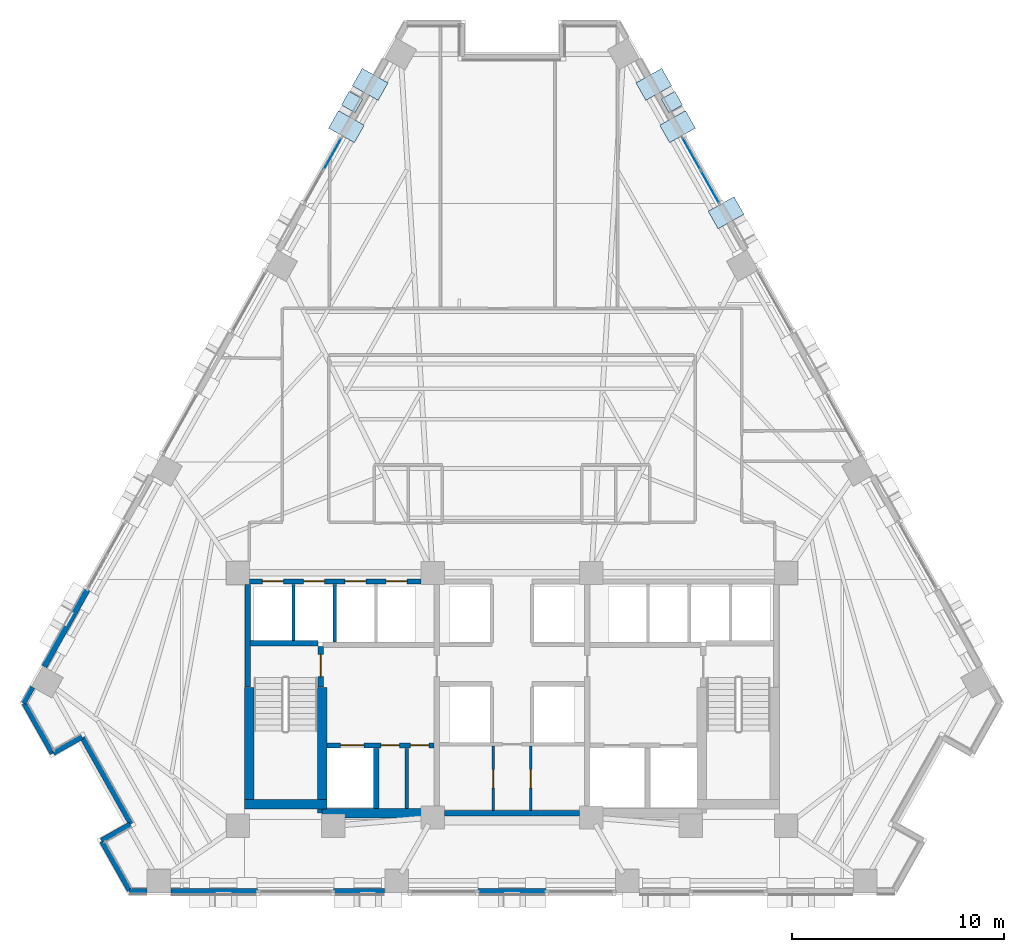
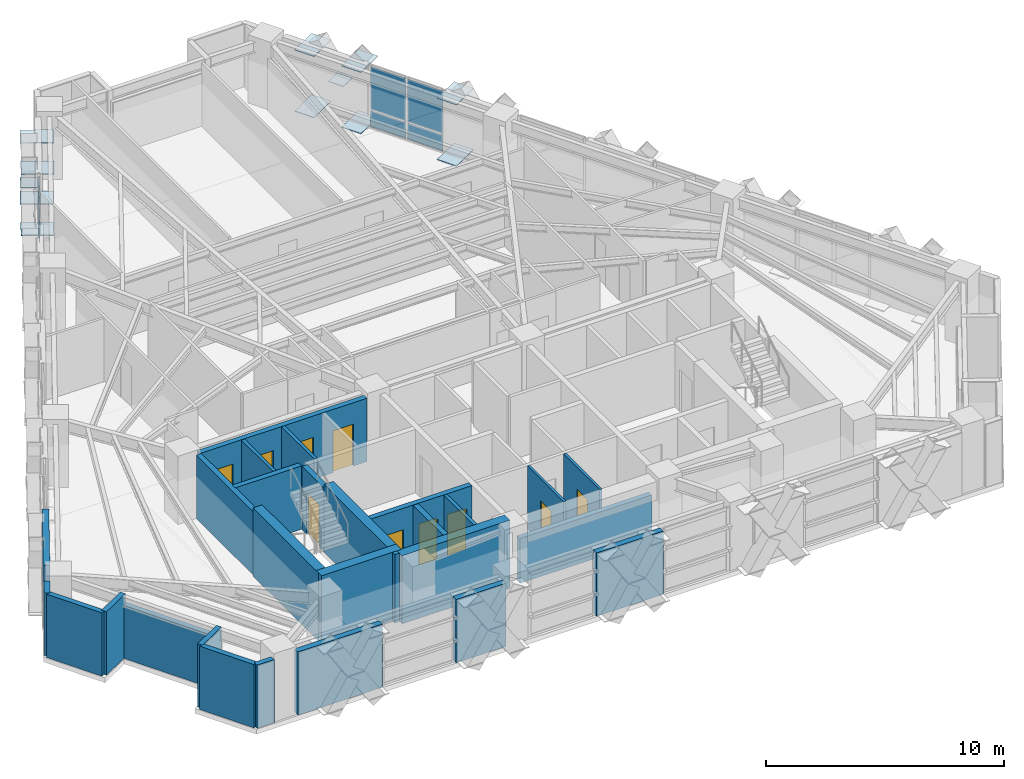
# One storey, part 7 of 14: 27 walls, 17 plates, 10 doors, 10 openings, 2 elements without a shape of their own.
"""IFC4 building model written with IfcOpenShell, lengths in metres."""

from ifc_helpers import new_model, si_unit, direction, frame, frame_2d, origin, origin_2d, place, context, subcontext, project, spatial, rectangle, extrude, material, layer, layer_set, type_object, element, fill, aggregate, save


model = new_model("IFC4")

# Units and contexts
model_context = context("Model", 3, precision=1e-05, world=origin(), true_north=direction((0.0, 1.0)))
body_context = subcontext(model_context, "Body", "Model", "MODEL_VIEW")
ifc_project = project(units=[si_unit("LENGTHUNIT", "METRE"), si_unit("AREAUNIT", "SQUARE_METRE"), si_unit("VOLUMEUNIT", "CUBIC_METRE"), si_unit("PLANEANGLEUNIT", "RADIAN"), si_unit("MASSUNIT", "GRAM", prefix="KILO")], contexts=[model_context])

# Site, building, storey
site_placement = place(None, origin())
site = spatial("IfcSite", under=ifc_project, at=site_placement, CompositionType="ELEMENT")
building_placement = place(site_placement, origin())
building = spatial("IfcBuilding", under=site, at=building_placement, Name="Quenlor Broadcast Tower", CompositionType="ELEMENT")
storey_placement = place(building_placement, frame((0.0, 0.0, 80.10009765625)))
storey = spatial("IfcBuildingStorey", under=building, at=storey_placement, Name="L21", CompositionType="ELEMENT", Elevation=80.10009765625)

# Curtain wall, plates
ifc_material_1 = material(Name="Architectural Terracotta and Low-E Glazing", Category="masonry")
curtain_wall_type = type_object("IfcCurtainWallType", Name="Unitised Terracotta Curtain Wall System Z2", PredefinedType="NOTDEFINED", material=ifc_material_1)
curtain_wall_1_placement = place(storey_placement, origin())
curtain_wall_1 = element("IfcCurtainWall", 1, at=curtain_wall_1_placement, inside=storey, type_object=curtain_wall_type, Name="L21 Curtain Wall CW2 (L21-NEA-G1)", PredefinedType="NOTDEFINED")
ifc_material_2 = material(Name="Double Glazed Low-E Solar Glass", Category="glass")
ifc_layer_1 = layer(ifc_material_2, 0.030029296875)
ifc_layer_set_1 = layer_set([ifc_layer_1], Name="CW2 Double Glazed Vision Panel 30")
plate_type_1 = type_object("IfcPlateType", Name="CW2 Double Glazed Vision Panel 30", PredefinedType="CURTAIN_PANEL", material=ifc_layer_set_1)
plate_1_placement = place(storey_placement, frame((8.473388671875, 15.009765625, 0.074951171875), z_axis=(0.0, 0.0, 1.0), x_axis=(0.490265104904, -0.871573362898, 0.0)))
plate_1 = element("IfcPlate", 2, at=plate_1_placement, type_object=plate_type_1, Name="CW2 panel 1.1", PredefinedType="CURTAIN_PANEL", context=body_context, shape_type="SweptSolid", body=[
    extrude(rectangle(XDim=1.72998046875, YDim=0.030029296875, at=origin_2d()), origin(), (0.0, 0.0, 1.0), 0.83740234375),
])
plate_2_placement = place(storey_placement, frame((8.473388671875, 15.009765625, 0.9873046875), z_axis=(0.0, 0.0, 1.0), x_axis=(0.490265104904, -0.871573362898, 0.0)))
plate_2 = element("IfcPlate", 3, at=plate_2_placement, type_object=plate_type_1, Name="CW2 panel 1.2", PredefinedType="CURTAIN_PANEL", context=body_context, shape_type="SweptSolid", body=[
    extrude(rectangle(XDim=1.72998046875, YDim=0.030029296875, at=origin_2d()), origin(), (0.0, 0.0, 1.0), 2.1875),
])
plate_3_placement = place(storey_placement, frame((9.3583984375, 13.4365234375, 0.074951171875), z_axis=(0.0, 0.0, 1.0), x_axis=(0.490265104904, -0.871573362898, 0.0)))
plate_3 = element("IfcPlate", 4, at=plate_3_placement, type_object=plate_type_1, Name="CW2 panel 2.1", PredefinedType="CURTAIN_PANEL", context=body_context, shape_type="SweptSolid", body=[
    extrude(rectangle(XDim=1.72998046875, YDim=0.030029296875, at=origin_2d()), origin(), (0.0, 0.0, 1.0), 0.83740234375),
])
plate_4_placement = place(storey_placement, frame((9.3583984375, 13.4365234375, 0.9873046875), z_axis=(0.0, 0.0, 1.0), x_axis=(0.490265104904, -0.871573362898, 0.0)))
plate_4 = element("IfcPlate", 5, at=plate_4_placement, type_object=plate_type_1, Name="CW2 panel 2.2", PredefinedType="CURTAIN_PANEL", context=body_context, shape_type="SweptSolid", body=[
    extrude(rectangle(XDim=1.72998046875, YDim=0.030029296875, at=origin_2d()), origin(), (0.0, 0.0, 1.0), 2.1875),
])
aggregate(curtain_wall_1, [plate_1, plate_2, plate_3, plate_4])

# Curtain wall, plate
curtain_wall_2_placement = place(storey_placement, origin())
curtain_wall_2 = element("IfcCurtainWall", 6, at=curtain_wall_2_placement, inside=storey, type_object=curtain_wall_type, Name="L21 Curtain Wall CW2 (L21-NWC-G1)", PredefinedType="NOTDEFINED")
plate_5_placement = place(storey_placement, frame((-8.473388671875, 15.009765625, 0.9873046875), z_axis=(0.0, 0.0, 1.0), x_axis=(0.490265104904, 0.871573362898, 0.0)))
plate_5 = element("IfcPlate", 7, at=plate_5_placement, type_object=plate_type_1, Name="CW2 panel 2.2", PredefinedType="CURTAIN_PANEL", context=body_context, shape_type="SweptSolid", body=[
    extrude(rectangle(XDim=1.72998046875, YDim=0.030029296875, at=origin_2d()), origin(), (0.0, 0.0, 1.0), 2.1875),
])
aggregate(curtain_wall_2, [plate_5])

# Plates
ifc_material_3 = material(Name="Steel S355", Category="steel")
ifc_layer_2 = layer(ifc_material_3, 0.028076171875)
ifc_layer_set_2 = layer_set([ifc_layer_2], Name="Perimeter Lattice Node Steel S355 Cap Plate 740x740x28")
plate_type_2 = type_object("IfcPlateType", Name="Perimeter Lattice Node Steel S355 Cap Plate 740x740x28", PredefinedType="USERDEFINED", material=ifc_layer_set_2)
for number, where, z_axis, x_axis, name in (
    (8, (7.5537109375, 17.45068359375, 1.61572265625), (0.0, 0.0, 1.0), (0.490295412055, -0.871556314255, 0.0), "L21 Diamond Lattice Crossing Node NE-C1"),
    (9, (-7.5537109375, 17.45068359375, 1.61572265625), (0.0, 0.0, 1.0), (0.490295412055, 0.871556314255, 0.0), "L21 Diamond Lattice Crossing Node NW-C5"),
):
    element("IfcPlate", number, at=place(storey_placement, frame(where, z_axis=z_axis, x_axis=x_axis)), inside=storey, type_object=plate_type_2, Name=name, ObjectType="CAP PLATE", PredefinedType="USERDEFINED", context=body_context, shape_type="SweptSolid", body=[
        extrude(rectangle(XDim=0.739990234375, YDim=0.739990234375, at=origin_2d()), origin(), (0.0, 0.0, 1.0), 0.028076171875),
    ])
ifc_material_4 = material(Name="Steel S355", Category="steel")
ifc_layer_3 = layer(ifc_material_4, 0.035888671875)
ifc_layer_set_3 = layer_set([ifc_layer_3], Name="Transfer Truss Steel S355 Gusset Node Plate 1400x950x36")
plate_type_3 = type_object("IfcPlateType", Name="Transfer Truss Steel S355 Gusset Node Plate 1400x950x36", PredefinedType="SHEET", material=ifc_layer_set_3)
for number, where, z_axis, x_axis, name in (
    (10, (6.69970703125, 18.28564453125, 0.0419921875), (0.0, 0.0, 1.0), (0.871556314255, 0.490295412055, 0.0), "L21 Lattice Tie Gusset Node NE-B1"),
    (11, (7.823486328125, 16.287353515625, 3.18212890625), (0.0, 0.0, 1.0), (0.871556314255, 0.490295412055, 0.0), "L21 Lattice Tie Gusset Node NE-T2"),
    (12, (7.823486328125, 16.287353515625, 0.0419921875), (0.0, 0.0, 1.0), (0.871556314255, 0.490295412055, 0.0), "L21 Lattice Tie Gusset Node NE-B2"),
    (13, (6.69970703125, 18.28564453125, 3.18212890625), (0.0, 0.0, 1.0), (0.871556314255, 0.490295412055, 0.0), "L21 Lattice Tie Gusset Node NE-T1"),
    (14, (10.11279296875, 12.218017578125, 0.0419921875), (0.0, 0.0, 1.0), (0.871556314255, 0.490295412055, 0.0), "L21 Lattice Tie Gusset Node NE-B4"),
    (15, (10.11279296875, 12.218017578125, 3.18212890625), (0.0, 0.0, 1.0), (0.871556314255, 0.490295412055, 0.0), "L21 Lattice Tie Gusset Node NE-T4"),
    (16, (-7.823486328125, 16.287353515625, 0.0419921875), (0.0, 0.0, 1.0), (-0.871556314255, 0.490295412055, 0.0), "L21 Lattice Tie Gusset Node NW-B13"),
    (17, (-6.69970703125, 18.28564453125, 3.18212890625), (0.0, 0.0, 1.0), (-0.871556314255, 0.490295412055, 0.0), "L21 Lattice Tie Gusset Node NW-T14"),
    (18, (-6.69970703125, 18.28564453125, 0.0419921875), (0.0, 0.0, 1.0), (-0.871556314255, 0.490295412055, 0.0), "L21 Lattice Tie Gusset Node NW-B14"),
    (19, (-7.823486328125, 16.287353515625, 3.18212890625), (0.0, 0.0, 1.0), (-0.871556314255, 0.490295412055, 0.0), "L21 Lattice Tie Gusset Node NW-T13"),
):
    element("IfcPlate", number, at=place(storey_placement, frame(where, z_axis=z_axis, x_axis=x_axis)), inside=storey, type_object=plate_type_3, Name=name, PredefinedType="SHEET", context=body_context, shape_type="SweptSolid", body=[
        extrude(rectangle(XDim=1.39990234375, YDim=0.949951171875, at=origin_2d()), origin(), (0.0, 0.0, 1.0), 0.035888671875),
    ])

# Walls
ifc_material_5 = material(Name="Concrete C50/60", Category="concrete")
ifc_layer_4 = layer(ifc_material_5, 0.449951171875)
ifc_layer_set_4 = layer_set([ifc_layer_4], Name="Core Concrete C50/60 Shear Wall 450")
wall_type_1 = type_object("IfcWallType", Name="Core Concrete C50/60 Shear Wall 450", PredefinedType="SHEAR", material=ifc_layer_set_4)
wall_1_placement = place(storey_placement, frame((-12.64990234375, -15.72509765625, 0.0), z_axis=(0.0, 0.0, 1.0), x_axis=(1.0, 0.0, 0.0)))
element("IfcWall", 20, at=wall_1_placement, inside=storey, type_object=wall_type_1, Name="L21 Core Shear Wall WS-W1", PredefinedType="SHEAR", context=body_context, shape_type="SweptSolid", body=[
    extrude(rectangle(XDim=3.89990234375, YDim=0.449951171875, at=frame_2d((1.949951171875, 0.0))), origin(), (0.0, 0.0, 1.0), 3.5),
])
wall_2_placement = place(storey_placement, frame((-8.97509765625, -16.14990234375, 0.0), z_axis=(0.0, 0.0, 1.0), x_axis=(1.0, 0.0, 0.0)))
element("IfcWall", 21, at=wall_2_placement, inside=storey, type_object=wall_type_1, Name="L21 Core Shear Wall WS-W2", PredefinedType="SHEAR", context=body_context, shape_type="SweptSolid", body=[
    extrude(rectangle(XDim=5.22509765625, YDim=0.449951171875, at=frame_2d((2.612548828125, 0.0))), origin(), (0.0, 0.0, 1.0), 3.5),
])
wall_3_placement = place(storey_placement, frame((-12.425048828125, -15.72509765625, 0.0), z_axis=(0.0, 0.0, 1.0), x_axis=(0.0, 1.0, 0.0)))
element("IfcWall", 22, at=wall_3_placement, inside=storey, type_object=wall_type_1, Name="L21 Core Shear Wall WF-W", PredefinedType="SHEAR", context=body_context, shape_type="SweptSolid", body=[
    extrude(rectangle(XDim=5.525146484375, YDim=0.449951171875, at=frame_2d((2.7626953125, 0.0))), origin(), (0.0, 0.0, 1.0), 3.5),
])
wall_4_placement = place(storey_placement, frame((-8.97509765625, -16.14990234375, 0.0), z_axis=(0.0, 0.0, 1.0), x_axis=(0.0, 1.0, 0.0)))
element("IfcWall", 23, at=wall_4_placement, inside=storey, type_object=wall_type_1, Name="L21 Core Shear Wall WI-W", PredefinedType="SHEAR", context=body_context, shape_type="SweptSolid", body=[
    extrude(rectangle(XDim=5.949951171875, YDim=0.449951171875, at=frame_2d((2.97509765625, 0.0))), origin(), (0.0, 0.0, 1.0), 3.5),
])

# Wall, opening, door
ifc_material_6 = material(Name="Concrete C40/50", Category="concrete")
ifc_layer_5 = layer(ifc_material_6, 0.25)
ifc_layer_set_5 = layer_set([ifc_layer_5], Name="Fire Rated Concrete C40/50 Core Wall 250")
wall_type_2 = type_object("IfcWallType", Name="Fire Rated Concrete C40/50 Core Wall 250", PredefinedType="PARTITIONING", material=ifc_layer_set_5)
wall_5_placement = place(storey_placement, frame((-9.0400390625, -10.179931640625, 0.0), z_axis=(0.0, 0.0, 1.0), x_axis=(0.0, 1.0, 0.0)))
wall_5 = element("IfcWall", 24, at=wall_5_placement, inside=storey, type_object=wall_type_2, Name="L21 Interior Wall CW-ST1-DR", PredefinedType="PARTITIONING", context=body_context, shape_type="SweptSolid", body=[
    extrude(rectangle(XDim=1.89990234375, YDim=0.25, at=frame_2d((0.949951171875, 0.0))), origin(), (0.0, 0.0, 1.0), 3.25),
])
opening_1_placement = place(wall_5_placement, frame((0.47998046875, 0.0, 0.0)))
opening_1 = element("IfcOpeningElement", 25, at=opening_1_placement, cuts=wall_5, Name="Opening FD-1", PredefinedType="OPENING", context=body_context, shape_type="SweptSolid", body=[
    extrude(rectangle(XDim=1.050048828125, YDim=2.14990234375, at=frame_2d((0.52490234375, 1.074951171875))), frame((0.0, 0.135009765625, 0.0), z_axis=(0.0, -1.0, 0.0), x_axis=(1.0, 0.0, 0.0)), (0.0, 0.0, 1.0), 0.27001953125),
])
ifc_material_7 = material(Name="Fire Rated Steel Door Leaf", Category="steel")
door_type_1 = type_object("IfcDoorType", Name="Fire Isolated Stair Door 1050x2150", OperationType="NOTDEFINED", PredefinedType="DOOR", material=ifc_material_7)
door_1_placement = place(opening_1_placement, origin())
door_1 = element("IfcDoor", 26, at=door_1_placement, inside=storey, type_object=door_type_1, Name="L21 Door DR-ST1", OperationType="SINGLE_SWING_LEFT", OverallHeight=2.14990234375, OverallWidth=1.050048828125, PredefinedType="DOOR", context=body_context, shape_type="SweptSolid", body=[
    extrude(rectangle(XDim=1.050048828125, YDim=2.14990234375, at=frame_2d((0.52490234375, 1.074951171875))), frame((0.0, 0.02490234375, 0.0), z_axis=(0.0, -1.0, 0.0), x_axis=(1.0, 0.0, 0.0)), (0.0, 0.0, 1.0), 0.050048828125),
])
fill(opening_1, door_1)

# Walls
wall_6_placement = place(storey_placement, frame((-12.3798828125, -8.1201171875, 0.0), z_axis=(0.0, 0.0, 1.0), x_axis=(1.0, 0.0, 0.0)))
element("IfcWall", 27, at=wall_6_placement, inside=storey, type_object=wall_type_2, Name="L21 Interior Wall CW-ST1-N", PredefinedType="PARTITIONING", context=body_context, shape_type="SweptSolid", body=[
    extrude(rectangle(XDim=3.219970703125, YDim=0.25, at=frame_2d((1.60986328125, 0.0))), origin(), (0.0, 0.0, 1.0), 3.25),
])
wall_7_placement = place(storey_placement, frame((-12.47998046875, -10.179931640625, 0.0), z_axis=(0.0, 0.0, 1.0), x_axis=(0.0, 1.0, 0.0)))
element("IfcWall", 28, at=wall_7_placement, inside=storey, type_object=wall_type_2, Name="L21 Interior Wall CW-ST1-W2", PredefinedType="PARTITIONING", context=body_context, shape_type="SweptSolid", body=[
    extrude(rectangle(XDim=4.827880859375, YDim=0.25, at=frame_2d((2.4140625, 0.0))), origin(), (0.0, 0.0, 1.0), 3.25),
])

# Wall, openings, doors
wall_8_placement = place(storey_placement, frame((-8.748046875, -12.949951171875, 0.0), z_axis=(0.0, 0.0, 1.0), x_axis=(1.0, 0.0, 0.0)))
wall_8 = element("IfcWall", 29, at=wall_8_placement, inside=storey, type_object=wall_type_2, Name="L21 Interior Wall CW-FFW-S", PredefinedType="PARTITIONING", context=body_context, shape_type="SweptSolid", body=[
    extrude(rectangle(XDim=5.068115234375, YDim=0.25, at=frame_2d((2.5341796875, 0.0))), origin(), (0.0, 0.0, 1.0), 3.25),
])
opening_2_placement = place(wall_8_placement, frame((0.64794921875, 0.0, 0.0)))
opening_2 = element("IfcOpeningElement", 30, at=opening_2_placement, cuts=wall_8, Name="Opening LD-FFL-1", PredefinedType="OPENING", context=body_context, shape_type="SweptSolid", body=[
    extrude(rectangle(XDim=1.10009765625, YDim=2.14990234375, at=frame_2d((0.550048828125, 1.074951171875))), frame((0.0, 0.135009765625, 0.0), z_axis=(0.0, -1.0, 0.0), x_axis=(1.0, 0.0, 0.0)), (0.0, 0.0, 1.0), 0.27001953125),
])
opening_3_placement = place(wall_8_placement, frame((2.548095703125, 0.0, 0.0)))
opening_3 = element("IfcOpeningElement", 31, at=opening_3_placement, cuts=wall_8, Name="Opening TD-1", PredefinedType="OPENING", context=body_context, shape_type="SweptSolid", body=[
    extrude(rectangle(XDim=0.8798828125, YDim=2.10009765625, at=frame_2d((0.43994140625, 1.050048828125))), frame((0.0, 0.135009765625, 0.0), z_axis=(0.0, -1.0, 0.0), x_axis=(1.0, 0.0, 0.0)), (0.0, 0.0, 1.0), 0.27001953125),
])
opening_4_placement = place(wall_8_placement, frame((3.947998046875, 0.0, 0.0)))
opening_4 = element("IfcOpeningElement", 32, at=opening_4_placement, cuts=wall_8, Name="Opening TD-1", PredefinedType="OPENING", context=body_context, shape_type="SweptSolid", body=[
    extrude(rectangle(XDim=0.8798828125, YDim=2.10009765625, at=frame_2d((0.43994140625, 1.050048828125))), frame((0.0, 0.135009765625, 0.0), z_axis=(0.0, -1.0, 0.0), x_axis=(1.0, 0.0, 0.0)), (0.0, 0.0, 1.0), 0.27001953125),
])
ifc_material_8 = material(Name="Brushed Stainless Steel", Category="steel")
door_type_2 = type_object("IfcDoorType", Name="Emergency Lift Sliding Landing Door 1100x2150", OperationType="NOTDEFINED", PredefinedType="DOOR", material=ifc_material_8)
door_2_placement = place(opening_2_placement, origin())
door_2 = element("IfcDoor", 33, at=door_2_placement, inside=storey, type_object=door_type_2, Name="L21 Door LD-FFL-1", OperationType="SLIDING_TO_LEFT", OverallHeight=2.14990234375, OverallWidth=1.10009765625, PredefinedType="DOOR", context=body_context, shape_type="SweptSolid", body=[
    extrude(rectangle(XDim=1.10009765625, YDim=2.14990234375, at=frame_2d((0.550048828125, 1.074951171875))), frame((0.0, 0.02490234375, 0.0), z_axis=(0.0, -1.0, 0.0), x_axis=(1.0, 0.0, 0.0)), (0.0, 0.0, 1.0), 0.050048828125),
])
fill(opening_2, door_2)
ifc_material_9 = material(Name="Fire Rated Steel Access Panel", Category="steel")
door_type_3 = type_object("IfcDoorType", Name="Riser Shaft Rated Access Trapdoor 880x2100", OperationType="NOTDEFINED", PredefinedType="TRAPDOOR", material=ifc_material_9)
door_3_placement = place(opening_3_placement, origin())
door_3 = element("IfcDoor", 34, at=door_3_placement, inside=storey, type_object=door_type_3, Name="L21 Door DR-ELR", OperationType="SINGLE_SWING_LEFT", OverallHeight=2.10009765625, OverallWidth=0.8798828125, PredefinedType="TRAPDOOR", context=body_context, shape_type="SweptSolid", body=[
    extrude(rectangle(XDim=0.8798828125, YDim=2.10009765625, at=frame_2d((0.43994140625, 1.050048828125))), frame((0.0, 0.02490234375, 0.0), z_axis=(0.0, -1.0, 0.0), x_axis=(1.0, 0.0, 0.0)), (0.0, 0.0, 1.0), 0.050048828125),
])
fill(opening_3, door_3)
door_4_placement = place(opening_4_placement, origin())
door_4 = element("IfcDoor", 35, at=door_4_placement, inside=storey, type_object=door_type_3, Name="L21 Door DR-CMR", OperationType="SINGLE_SWING_RIGHT", OverallHeight=2.10009765625, OverallWidth=0.8798828125, PredefinedType="TRAPDOOR", context=body_context, shape_type="SweptSolid", body=[
    extrude(rectangle(XDim=0.8798828125, YDim=2.10009765625, at=frame_2d((0.43994140625, 1.050048828125))), frame((0.0, 0.02490234375, 0.0), z_axis=(0.0, -1.0, 0.0), x_axis=(1.0, 0.0, 0.0)), (0.0, 0.0, 1.0), 0.050048828125),
])
fill(opening_4, door_4)

# Wall
wall_9_placement = place(storey_placement, frame((-6.419921875, -15.919921875, 0.0), z_axis=(0.0, 0.0, 1.0), x_axis=(0.0, 1.0, 0.0)))
element("IfcWall", 36, at=wall_9_placement, inside=storey, type_object=wall_type_2, Name="L21 Interior Wall CW-FF1-E", PredefinedType="PARTITIONING", context=body_context, shape_type="SweptSolid", body=[
    extrude(rectangle(XDim=2.829833984375, YDim=0.25, at=frame_2d((1.4150390625, 0.0))), origin(), (0.0, 0.0, 1.0), 3.25),
])

# Wall, openings, doors
wall_10_placement = place(storey_placement, frame((-12.39794921875, -5.199951171875, 0.0), z_axis=(0.0, 0.0, 1.0), x_axis=(1.0, 0.0, 0.0)))
wall_10 = element("IfcWall", 37, at=wall_10_placement, inside=storey, type_object=wall_type_2, Name="L21 Interior Wall CW-N-W", PredefinedType="PARTITIONING", context=body_context, shape_type="SweptSolid", body=[
    extrude(rectangle(XDim=8.095947265625, YDim=0.25, at=frame_2d((4.0478515625, 0.0))), origin(), (0.0, 0.0, 1.0), 3.25),
])
opening_5_placement = place(wall_10_placement, frame((0.597900390625, 0.0, 0.0)))
opening_5 = element("IfcOpeningElement", 38, at=opening_5_placement, cuts=wall_10, Name="Opening LD-PL-L1", PredefinedType="OPENING", context=body_context, shape_type="SweptSolid", body=[
    extrude(rectangle(XDim=1.0, YDim=2.14990234375, at=frame_2d((0.5, 1.074951171875))), frame((0.0, 0.135009765625, 0.0), z_axis=(0.0, -1.0, 0.0), x_axis=(1.0, 0.0, 0.0)), (0.0, 0.0, 1.0), 0.27001953125),
])
opening_6_placement = place(wall_10_placement, frame((2.548095703125, 0.0, 0.0)))
opening_6 = element("IfcOpeningElement", 39, at=opening_6_placement, cuts=wall_10, Name="Opening LD-PL-L2", PredefinedType="OPENING", context=body_context, shape_type="SweptSolid", body=[
    extrude(rectangle(XDim=1.0, YDim=2.14990234375, at=frame_2d((0.5, 1.074951171875))), frame((0.0, 0.135009765625, 0.0), z_axis=(0.0, -1.0, 0.0), x_axis=(1.0, 0.0, 0.0)), (0.0, 0.0, 1.0), 0.27001953125),
])
opening_7_placement = place(wall_10_placement, frame((4.498046875, 0.0, 0.0)))
opening_7 = element("IfcOpeningElement", 40, at=opening_7_placement, cuts=wall_10, Name="Opening LD-PL-L3", PredefinedType="OPENING", context=body_context, shape_type="SweptSolid", body=[
    extrude(rectangle(XDim=1.0, YDim=2.14990234375, at=frame_2d((0.5, 1.074951171875))), frame((0.0, 0.135009765625, 0.0), z_axis=(0.0, -1.0, 0.0), x_axis=(1.0, 0.0, 0.0)), (0.0, 0.0, 1.0), 0.27001953125),
])
opening_8_placement = place(wall_10_placement, frame((6.447998046875, 0.0, 0.0)))
opening_8 = element("IfcOpeningElement", 41, at=opening_8_placement, cuts=wall_10, Name="Opening LD-PL-L4", PredefinedType="OPENING", context=body_context, shape_type="SweptSolid", body=[
    extrude(rectangle(XDim=1.0, YDim=2.14990234375, at=frame_2d((0.5, 1.074951171875))), frame((0.0, 0.135009765625, 0.0), z_axis=(0.0, -1.0, 0.0), x_axis=(1.0, 0.0, 0.0)), (0.0, 0.0, 1.0), 0.27001953125),
])
ifc_material_10 = material(Name="Brushed Stainless Steel", Category="steel")
door_type_4 = type_object("IfcDoorType", Name="Passenger Lift Sliding Landing Door 1000x2150", OperationType="NOTDEFINED", PredefinedType="DOOR", material=ifc_material_10)
door_5_placement = place(opening_5_placement, origin())
door_5 = element("IfcDoor", 42, at=door_5_placement, inside=storey, type_object=door_type_4, Name="L21 Door LD-PL-L1", OperationType="SLIDING_TO_LEFT", OverallHeight=2.14990234375, OverallWidth=1.0, PredefinedType="DOOR", context=body_context, shape_type="SweptSolid", body=[
    extrude(rectangle(XDim=1.0, YDim=2.14990234375, at=frame_2d((0.5, 1.074951171875))), frame((0.0, 0.02490234375, 0.0), z_axis=(0.0, -1.0, 0.0), x_axis=(1.0, 0.0, 0.0)), (0.0, 0.0, 1.0), 0.050048828125),
])
fill(opening_5, door_5)
door_6_placement = place(opening_6_placement, origin())
door_6 = element("IfcDoor", 43, at=door_6_placement, inside=storey, type_object=door_type_4, Name="L21 Door LD-PL-L2", OperationType="SLIDING_TO_LEFT", OverallHeight=2.14990234375, OverallWidth=1.0, PredefinedType="DOOR", context=body_context, shape_type="SweptSolid", body=[
    extrude(rectangle(XDim=1.0, YDim=2.14990234375, at=frame_2d((0.5, 1.074951171875))), frame((0.0, 0.02490234375, 0.0), z_axis=(0.0, -1.0, 0.0), x_axis=(1.0, 0.0, 0.0)), (0.0, 0.0, 1.0), 0.050048828125),
])
fill(opening_6, door_6)
door_7_placement = place(opening_7_placement, origin())
door_7 = element("IfcDoor", 44, at=door_7_placement, inside=storey, type_object=door_type_4, Name="L21 Door LD-PL-L3", OperationType="SLIDING_TO_LEFT", OverallHeight=2.14990234375, OverallWidth=1.0, PredefinedType="DOOR", context=body_context, shape_type="SweptSolid", body=[
    extrude(rectangle(XDim=1.0, YDim=2.14990234375, at=frame_2d((0.5, 1.074951171875))), frame((0.0, 0.02490234375, 0.0), z_axis=(0.0, -1.0, 0.0), x_axis=(1.0, 0.0, 0.0)), (0.0, 0.0, 1.0), 0.050048828125),
])
fill(opening_7, door_7)
door_8_placement = place(opening_8_placement, origin())
door_8 = element("IfcDoor", 45, at=door_8_placement, inside=storey, type_object=door_type_4, Name="L21 Door LD-PL-L4", OperationType="SLIDING_TO_LEFT", OverallHeight=2.14990234375, OverallWidth=1.0, PredefinedType="DOOR", context=body_context, shape_type="SweptSolid", body=[
    extrude(rectangle(XDim=1.0, YDim=2.14990234375, at=frame_2d((0.5, 1.074951171875))), frame((0.0, 0.02490234375, 0.0), z_axis=(0.0, -1.0, 0.0), x_axis=(1.0, 0.0, 0.0)), (0.0, 0.0, 1.0), 0.050048828125),
])
fill(opening_8, door_8)

# Walls
wall_11_placement = place(storey_placement, frame((-3.197998046875, -16.14990234375, 0.0), z_axis=(0.0, 0.0, 1.0), x_axis=(1.0, 0.0, 0.0)))
element("IfcWall", 46, at=wall_11_placement, inside=storey, type_object=wall_type_2, Name="L21 Interior Wall CW-MS-S", PredefinedType="PARTITIONING", context=body_context, shape_type="SweptSolid", body=[
    extrude(rectangle(XDim=6.39599609375, YDim=0.25, at=frame_2d((3.197998046875, 0.0))), origin(), (0.0, 0.0, 1.0), 2.2998046875),
])
ifc_material_11 = material(Name="Gypsum Fireboard Partition", Category="other")
ifc_layer_6 = layer(ifc_material_11, 0.159912109375)
ifc_layer_set_6 = layer_set([ifc_layer_6], Name="Fire Rated Shaft and Corridor Partition 160")
wall_type_3 = type_object("IfcWallType", Name="Fire Rated Shaft and Corridor Partition 160", PredefinedType="PARTITIONING", material=ifc_layer_set_6)
wall_12_placement = place(storey_placement, frame((-4.97998046875, -15.919921875, 0.0), z_axis=(0.0, 0.0, 1.0), x_axis=(0.0, 1.0, 0.0)))
element("IfcWall", 47, at=wall_12_placement, inside=storey, type_object=wall_type_3, Name="L21 Interior Wall CW-ELR-E", PredefinedType="PARTITIONING", context=body_context, shape_type="SweptSolid", body=[
    extrude(rectangle(XDim=2.829833984375, YDim=0.159912109375, at=frame_2d((1.4150390625, 0.0))), origin(), (0.0, 0.0, 1.0), 3.25),
])
wall_13_placement = place(storey_placement, frame((-10.324951171875, -7.992919921875, 0.0), z_axis=(0.0, 0.0, 1.0), x_axis=(0.0, 1.0, 0.0)))
element("IfcWall", 48, at=wall_13_placement, inside=storey, type_object=wall_type_3, Name="L21 Interior Wall CW-PLL-D1", PredefinedType="PARTITIONING", context=body_context, shape_type="SweptSolid", body=[
    extrude(rectangle(XDim=2.65283203125, YDim=0.159912109375, at=frame_2d((1.326416015625, 0.0))), origin(), (0.0, 0.0, 1.0), 3.25),
])
wall_14_placement = place(storey_placement, frame((-8.375, -8.072998046875, 0.0), z_axis=(0.0, 0.0, 1.0), x_axis=(0.0, 1.0, 0.0)))
element("IfcWall", 49, at=wall_14_placement, inside=storey, type_object=wall_type_3, Name="L21 Interior Wall CW-PLL-D2", PredefinedType="PARTITIONING", context=body_context, shape_type="SweptSolid", body=[
    extrude(rectangle(XDim=2.73291015625, YDim=0.159912109375, at=frame_2d((1.366455078125, 0.0))), origin(), (0.0, 0.0, 1.0), 3.25),
])

# Wall, opening, door
ifc_material_12 = material(Name="Gypsum Plasterboard Partition", Category="other")
ifc_layer_7 = layer(ifc_material_12, 0.1201171875)
ifc_layer_set_7 = layer_set([ifc_layer_7], Name="Standard Office Partition 120")
wall_type_4 = type_object("IfcWallType", Name="Standard Office Partition 120", PredefinedType="PARTITIONING", material=ifc_layer_set_7)
wall_15_placement = place(storey_placement, frame((-0.8798828125, -16.02001953125, 0.0), z_axis=(0.0, 0.0, 1.0), x_axis=(0.0, 1.0, 0.0)))
wall_15 = element("IfcWall", 50, at=wall_15_placement, inside=storey, type_object=wall_type_4, Name="L21 Interior Wall CW-CSV-W3", PredefinedType="PARTITIONING", context=body_context, shape_type="SweptSolid", body=[
    extrude(rectangle(XDim=3.0380859375, YDim=0.1201171875, at=frame_2d((1.51904296875, 0.0))), origin(), (0.0, 0.0, 1.0), 3.25),
])
opening_9_placement = place(wall_15_placement, frame((1.050048828125, 0.0, 0.0)))
opening_9 = element("IfcOpeningElement", 51, at=opening_9_placement, cuts=wall_15, Name="Opening ID-4", PredefinedType="OPENING", context=body_context, shape_type="SweptSolid", body=[
    extrude(rectangle(XDim=0.8798828125, YDim=2.1201171875, at=frame_2d((0.43994140625, 1.06005859375))), frame((0.0, 0.070068359375, 0.0), z_axis=(0.0, -1.0, 0.0), x_axis=(1.0, 0.0, 0.0)), (0.0, 0.0, 1.0), 0.14013671875),
])
ifc_material_13 = material(Name="Solid Core Timber Oak", Category="wood")
door_type_5 = type_object("IfcDoorType", Name="Service Closet Timber Door 880x2120", OperationType="NOTDEFINED", PredefinedType="DOOR", material=ifc_material_13)
door_9_placement = place(opening_9_placement, origin())
door_9 = element("IfcDoor", 52, at=door_9_placement, inside=storey, type_object=door_type_5, Name="L21 Door DR-CSV1", OperationType="SINGLE_SWING_LEFT", OverallHeight=2.1201171875, OverallWidth=0.8798828125, PredefinedType="DOOR", context=body_context, shape_type="SweptSolid", body=[
    extrude(rectangle(XDim=0.8798828125, YDim=2.1201171875, at=frame_2d((0.43994140625, 1.06005859375))), frame((0.0, 0.02490234375, 0.0), z_axis=(0.0, -1.0, 0.0), x_axis=(1.0, 0.0, 0.0)), (0.0, 0.0, 1.0), 0.050048828125),
])
fill(opening_9, door_9)

wall_16_placement = place(storey_placement, frame((0.8798828125, -16.02001953125, 0.0), z_axis=(0.0, 0.0, 1.0), x_axis=(0.0, 1.0, 0.0)))
wall_16 = element("IfcWall", 53, at=wall_16_placement, inside=storey, type_object=wall_type_4, Name="L21 Interior Wall CW-CSV-E3", PredefinedType="PARTITIONING", context=body_context, shape_type="SweptSolid", body=[
    extrude(rectangle(XDim=3.0380859375, YDim=0.1201171875, at=frame_2d((1.51904296875, 0.0))), origin(), (0.0, 0.0, 1.0), 3.25),
])
opening_10_placement = place(wall_16_placement, frame((1.050048828125, 0.0, 0.0)))
opening_10 = element("IfcOpeningElement", 54, at=opening_10_placement, cuts=wall_16, Name="Opening ID-4", PredefinedType="OPENING", context=body_context, shape_type="SweptSolid", body=[
    extrude(rectangle(XDim=0.8798828125, YDim=2.1201171875, at=frame_2d((0.43994140625, 1.06005859375))), frame((0.0, 0.070068359375, 0.0), z_axis=(0.0, -1.0, 0.0), x_axis=(1.0, 0.0, 0.0)), (0.0, 0.0, 1.0), 0.14013671875),
])
door_10_placement = place(opening_10_placement, origin())
door_10 = element("IfcDoor", 55, at=door_10_placement, inside=storey, type_object=door_type_5, Name="L21 Door DR-CSV2", OperationType="SINGLE_SWING_RIGHT", OverallHeight=2.1201171875, OverallWidth=0.8798828125, PredefinedType="DOOR", context=body_context, shape_type="SweptSolid", body=[
    extrude(rectangle(XDim=0.8798828125, YDim=2.1201171875, at=frame_2d((0.43994140625, 1.06005859375))), frame((0.0, 0.02490234375, 0.0), z_axis=(0.0, -1.0, 0.0), x_axis=(1.0, 0.0, 0.0)), (0.0, 0.0, 1.0), 0.050048828125),
])
fill(opening_10, door_10)

# Walls
ifc_material_14 = material(Name="Precast concrete C40/50", Category="concrete")
ifc_layer_8 = layer(ifc_material_14, 0.239990234375)
ifc_layer_set_8 = layer_set([ifc_layer_8], Name="Terrace Threshold Precast Concrete C40/50 Wall 240")
wall_type_5 = type_object("IfcWallType", Name="Terrace Threshold Precast Concrete C40/50 Wall 240", PredefinedType="STANDARD", material=ifc_layer_set_8)
wall_17_placement = place(storey_placement, frame((-17.24755859375, -19.840087890625, 0.0), z_axis=(0.0, 0.0, 1.0), x_axis=(-1.0, 0.0, 0.0)))
element("IfcWall", 56, at=wall_17_placement, inside=storey, type_object=wall_type_5, Name="L21 Exterior Wall L21-SHD-SS1", PredefinedType="STANDARD", context=body_context, shape_type="SweptSolid", body=[
    extrude(rectangle(XDim=0.83642578125, YDim=0.239990234375, at=frame_2d((0.418212890625, 0.0))), origin(), (0.0, 0.0, 1.0), 3.25),
])
wall_18_placement = place(storey_placement, frame((-23.078125, -10.9541015625, 0.0), z_axis=(0.0, 0.0, 1.0), x_axis=(0.490355003566, 0.871522788272, 0.0)))
element("IfcWall", 57, at=wall_18_placement, inside=storey, type_object=wall_type_5, Name="L21 Exterior Wall L21-SHD-NWS0", PredefinedType="STANDARD", context=body_context, shape_type="SweptSolid", body=[
    extrude(rectangle(XDim=0.865234375, YDim=0.239990234375, at=frame_2d((0.4326171875, 0.0))), origin(), (0.0, 0.0, 1.0), 3.25),
])
wall_19_placement = place(storey_placement, frame((-23.043701171875, -10.962890625, 0.0), z_axis=(0.0, 0.0, 1.0), x_axis=(0.490218533594, -0.871599557894, 0.0)))
element("IfcWall", 58, at=wall_19_placement, inside=storey, type_object=wall_type_5, Name="L21 Exterior Wall L21-CNR-12", PredefinedType="STANDARD", context=body_context, shape_type="SweptSolid", body=[
    extrude(rectangle(XDim=2.714111328125, YDim=0.239990234375, at=frame_2d((1.35693359375, 0.0))), origin(), (0.0, 0.0, 1.0), 3.25),
])
wall_20_placement = place(storey_placement, frame((-21.67822265625, -13.30908203125, 0.0), z_axis=(0.0, 0.0, 1.0), x_axis=(0.871546278971, 0.490313250496, 0.0)))
element("IfcWall", 59, at=wall_20_placement, inside=storey, type_object=wall_type_5, Name="L21 Exterior Wall L21-CNR-13", PredefinedType="STANDARD", context=body_context, shape_type="SweptSolid", body=[
    extrude(rectangle(XDim=1.56005859375, YDim=0.239990234375, at=frame_2d((0.780029296875, 0.0))), origin(), (0.0, 0.0, 1.0), 3.25),
])
wall_21_placement = place(storey_placement, frame((-20.299072265625, -12.5791015625, 0.0), z_axis=(0.0, 0.0, 1.0), x_axis=(0.490313250496, -0.871546278971, 0.0)))
element("IfcWall", 60, at=wall_21_placement, inside=storey, type_object=wall_type_5, Name="L21 Exterior Wall L21-CNR-14", PredefinedType="STANDARD", context=body_context, shape_type="SweptSolid", body=[
    extrude(rectangle(XDim=4.679931640625, YDim=0.239990234375, at=frame_2d((2.33984375, 0.0))), origin(), (0.0, 0.0, 1.0), 2.7216796875),
])
wall_22_placement = place(storey_placement, frame((-18.039306640625, -16.677490234375, 0.0), z_axis=(0.0, 0.0, 1.0), x_axis=(-0.871546278971, -0.490313250496, 0.0)))
element("IfcWall", 61, at=wall_22_placement, inside=storey, type_object=wall_type_5, Name="L21 Exterior Wall L21-CNR-15", PredefinedType="STANDARD", context=body_context, shape_type="SweptSolid", body=[
    extrude(rectangle(XDim=1.56005859375, YDim=0.239990234375, at=frame_2d((0.780029296875, 0.0))), origin(), (0.0, 0.0, 1.0), 3.25),
])
wall_23_placement = place(storey_placement, frame((-19.37939453125, -17.477294921875, 0.0), z_axis=(0.0, 0.0, 1.0), x_axis=(0.49023085981, -0.871592625078, 0.0)))
element("IfcWall", 62, at=wall_23_placement, inside=storey, type_object=wall_type_5, Name="L21 Exterior Wall L21-CNR-16", PredefinedType="STANDARD", context=body_context, shape_type="SweptSolid", body=[
    extrude(rectangle(XDim=2.6708984375, YDim=0.239990234375, at=frame_2d((1.33544921875, 0.0))), origin(), (0.0, 0.0, 1.0), 3.25),
])
ifc_material_15 = material(Name="Precast concrete C40/50", Category="concrete")
ifc_layer_9 = layer(ifc_material_15, 0.280029296875)
ifc_layer_set_9 = layer_set([ifc_layer_9], Name="Terracotta Precast Concrete C40/50 Facade Wall 280")
wall_type_6 = type_object("IfcWallType", Name="Terracotta Precast Concrete C40/50 Facade Wall 280", PredefinedType="STANDARD", material=ifc_layer_set_9)
wall_24_placement = place(storey_placement, frame((-6.018310546875, -19.840087890625, 0.0), z_axis=(0.0, 0.0, 1.0), x_axis=(-1.0, 0.0, 0.0)))
element("IfcWall", 63, at=wall_24_placement, inside=storey, type_object=wall_type_6, Name="L21 Exterior Wall L21-SC-SP1", PredefinedType="STANDARD", context=body_context, shape_type="SweptSolid", body=[
    extrude(rectangle(XDim=2.415283203125, YDim=0.280029296875, at=frame_2d((1.20751953125, 0.0))), origin(), (0.0, 0.0, 1.0), 3.25),
])
wall_25_placement = place(storey_placement, frame((-12.019287109375, -19.840087890625, 0.0), z_axis=(0.0, 0.0, 1.0), x_axis=(-1.0, 0.0, 0.0)))
element("IfcWall", 64, at=wall_25_placement, inside=storey, type_object=wall_type_6, Name="L21 Exterior Wall L21-SC-SP2", PredefinedType="STANDARD", context=body_context, shape_type="SweptSolid", body=[
    extrude(rectangle(XDim=4.09814453125, YDim=0.280029296875, at=frame_2d((2.049072265625, 0.0))), origin(), (0.0, 0.0, 1.0), 3.25),
])
wall_26_placement = place(storey_placement, frame((1.615966796875, -19.840087890625, 0.0), z_axis=(0.0, 0.0, 1.0), x_axis=(-1.0, 0.0, 0.0)))
element("IfcWall", 65, at=wall_26_placement, inside=storey, type_object=wall_type_6, Name="L21 Exterior Wall L21-S-SP1", PredefinedType="STANDARD", context=body_context, shape_type="SweptSolid", body=[
    extrude(rectangle(XDim=3.23193359375, YDim=0.280029296875, at=frame_2d((1.615966796875, 0.0))), origin(), (0.0, 0.0, 1.0), 3.25),
])
wall_27_placement = place(storey_placement, frame((-22.099853515625, -9.215087890625, 0.0), z_axis=(0.0, 0.0, 1.0), x_axis=(0.490255672477, 0.871578668626, 0.0)))
element("IfcWall", 66, at=wall_27_placement, inside=storey, type_object=wall_type_6, Name="L21 Exterior Wall L21-NWA-SP1", PredefinedType="STANDARD", context=body_context, shape_type="SweptSolid", body=[
    extrude(rectangle(XDim=4.1640625, YDim=0.280029296875, at=frame_2d((2.08203125, 0.0))), origin(), (0.0, 0.0, 1.0), 3.25),
])

save(model, "model.ifc")
